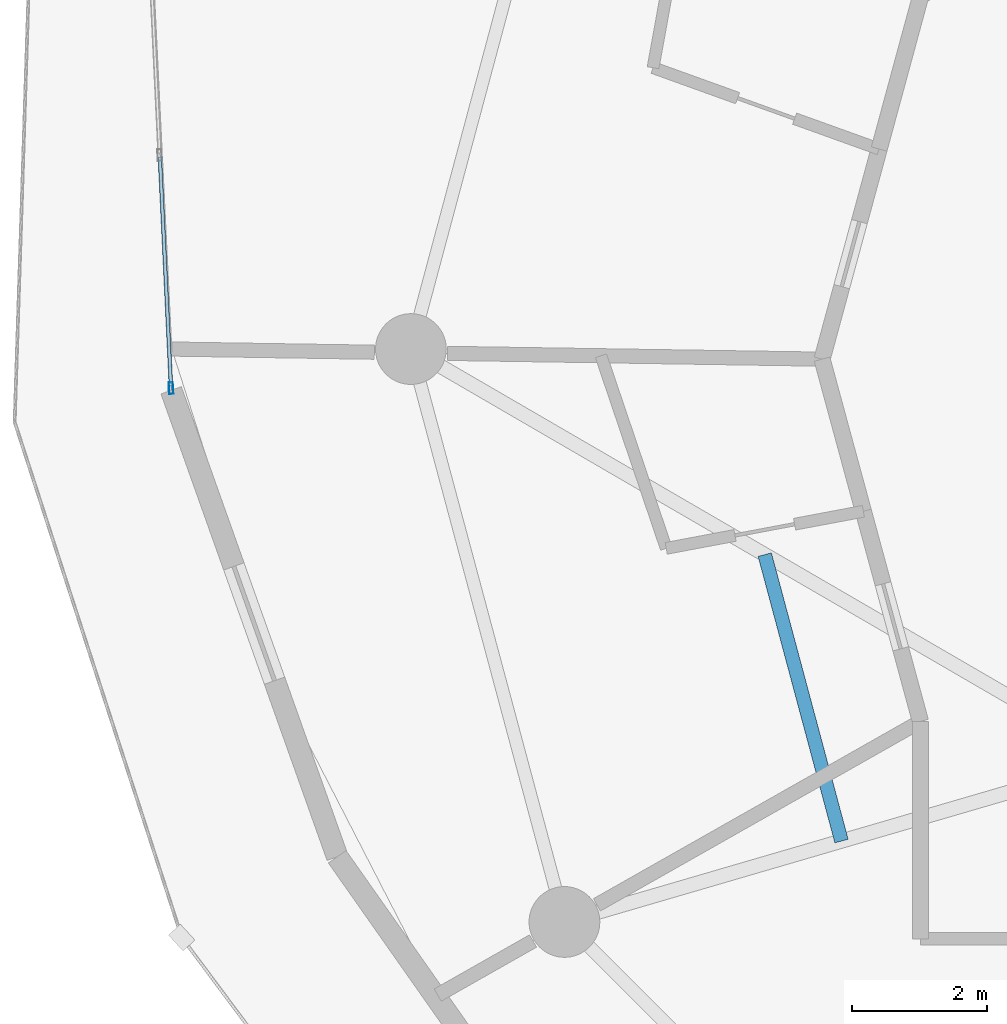
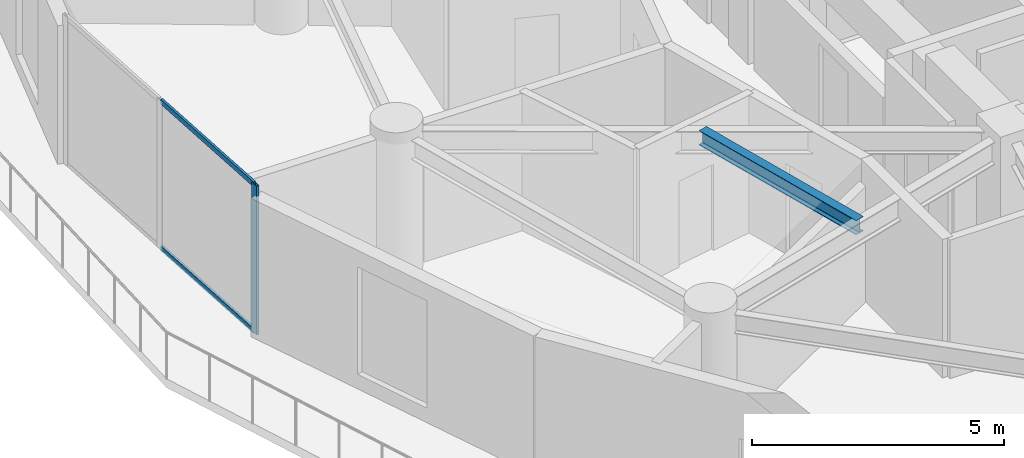
# One storey, part 4 of 22: 3 members, 1 beam, 1 element without a shape of its own.
"""IFC4 building model written with IfcOpenShell, lengths in metres."""

from ifc_helpers import new_model, si_unit, direction, frame, origin, origin_2d, place, context, subcontext, project, spatial, hollow_rectangle, i_section, extrude, source, transform, mapped, material, layer, layer_set, material_profile, profile_set, type_object, element, aggregate, save


model = new_model("IFC4")

# Units and contexts
model_context = context("Model", 3, precision=1e-05, world=origin(), true_north=direction((0.0, 1.0)))
body_context = subcontext(model_context, "Body", "Model", "MODEL_VIEW")
ifc_project = project(units=[si_unit("LENGTHUNIT", "METRE"), si_unit("AREAUNIT", "SQUARE_METRE"), si_unit("VOLUMEUNIT", "CUBIC_METRE"), si_unit("PLANEANGLEUNIT", "RADIAN"), si_unit("MASSUNIT", "GRAM", prefix="KILO")], contexts=[model_context])

# Site, building, storey
site_placement = place(None, origin())
site = spatial("IfcSite", under=ifc_project, at=site_placement, CompositionType="ELEMENT")
building_placement = place(site_placement, origin())
building = spatial("IfcBuilding", under=site, at=building_placement, Name="Solvirekh Grand Hotel", CompositionType="ELEMENT")
storey_placement = place(building_placement, frame((0.0, 0.0, 153.0)))
storey = spatial("IfcBuildingStorey", under=building, at=storey_placement, Name="L39", CompositionType="ELEMENT", Elevation=153.0)

# Beam
ifc_material_1 = material(Name="Steel S355", Category="steel")
ifc_material_profile_1 = material_profile(ifc_material_1, i_section(OverallWidth=0.2041015625, OverallDepth=0.35009765625, WebThickness=0.009033203125, FlangeThickness=0.014892578125, FilletRadius=0.010986328125, at=origin_2d()), Name="W360X72")
ifc_profile_set_1 = profile_set([ifc_material_profile_1], Name="Steel S355")
beam_type = type_object("IfcBeamType", Name="Joist_Floor_W360", PredefinedType="JOIST", material=ifc_profile_set_1)
beam_placement = place(storey_placement, frame((-11.75, -3.050048828125, 3.175048828125), z_axis=(0.258847024572, -0.965918328778, 0.0), x_axis=(0.965918328778, 0.258847024572, 0.0)))
element("IfcBeam", 1, at=beam_placement, inside=storey, type_object=beam_type, Name="L39 secondary composite floor joist 7", PredefinedType="JOIST", context=body_context, shape_type="SweptSolid", body=[
    extrude(i_section(OverallWidth=0.2041015625, OverallDepth=0.35009765625, WebThickness=0.009033203125, FlangeThickness=0.014892578125, FilletRadius=0.010986328125, at=origin_2d()), origin(), (0.0, 0.0, 1.0), 4.39990234375),
])

# Curtain wall, members
ifc_material_2 = material(Name="Anodized Bronze Aluminium 6063-T6", Category="aluminium")
ifc_layer = layer(ifc_material_2, 0.175048828125)
ifc_layer_set = layer_set([ifc_layer], Name="Anodized Bronze Aluminium 6063-T6")
curtain_wall_type = type_object("IfcCurtainWallType", Name="CW_Sys3_MidZoneFlushBronzeCW", PredefinedType="NOTDEFINED", material=ifc_layer_set)
curtain_wall_placement = place(storey_placement, origin())
curtain_wall = element("IfcCurtainWall", 2, at=curtain_wall_placement, inside=storey, type_object=curtain_wall_type, Name="L39 unitised bronze-glass curtain wall CW-L39-C13", PredefinedType="NOTDEFINED")
ifc_material_profile_2 = material_profile(ifc_material_2, hollow_rectangle(XDim=0.06494140625, YDim=0.175048828125, WallThickness=0.0048828125, at=origin_2d()), Name="ALU RHS 175X65X5")
ifc_profile_set_2 = profile_set([ifc_material_profile_2], Name="Anodized Bronze Aluminium 6063-T6")
member_type_1 = type_object("IfcMemberType", Name="CWMullion_Sys3", PredefinedType="MULLION", material=ifc_profile_set_2)
shared_shape_1 = source(origin(), body_context, "Body", "SweptSolid", [
    extrude(hollow_rectangle(XDim=0.06494140625, YDim=0.175048828125, WallThickness=0.0048828125, at=origin_2d()), origin(), (0.0, 0.0, 1.0), 3.60009765625),
])
member_1_placement = place(storey_placement, frame((-20.55859375, -0.57958984375, 0.0), z_axis=(0.0, 0.0, 1.0), x_axis=(0.998829947397, 0.048360481624, 0.0)))
member_1 = element("IfcMember", 3, at=member_1_placement, type_object=member_type_1, Name="U03 mullion 3", PredefinedType="MULLION", context=body_context, shape_type="MappedRepresentation", body=[
    mapped(shared_shape_1, transform((0.0, 0.0, 0.0), x_axis=(1.0, 0.0, 0.0), y_axis=(0.0, 1.0, 0.0), z_axis=(0.0, 0.0, 1.0), scale=1.0)),
])
ifc_material_profile_3 = material_profile(ifc_material_2, hollow_rectangle(XDim=0.054931640625, YDim=0.1201171875, WallThickness=0.00390625, at=origin_2d()), Name="ALU RHS 120X55X4")
ifc_profile_set_3 = profile_set([ifc_material_profile_3], Name="Anodized Bronze Aluminium 6063-T6")
member_type_2 = type_object("IfcMemberType", Name="CWTransom_Sys3", PredefinedType="USERDEFINED", material=ifc_profile_set_3)
shared_shape_2 = source(origin(), body_context, "Body", "SweptSolid", [
    extrude(hollow_rectangle(XDim=0.054931640625, YDim=0.1201171875, WallThickness=0.00390625, at=origin_2d()), origin(), (0.0, 0.0, 1.0), 3.39697265625),
])
member_2_placement = place(storey_placement, frame((-20.724365234375, 2.845947265625, 0.027587890625), z_axis=(0.048367558209, -0.998829604744, 0.0), x_axis=(0.998829604744, 0.048367558209, 0.0)))
member_2 = element("IfcMember", 4, at=member_2_placement, type_object=member_type_2, Name="U03 transom 2.1", ObjectType="TRANSOM", PredefinedType="USERDEFINED", context=body_context, shape_type="MappedRepresentation", body=[
    mapped(shared_shape_2, transform((0.0, 0.0, 0.0), x_axis=(1.0, 0.0, 0.0), y_axis=(0.0, 1.0, 0.0), z_axis=(0.0, 0.0, 1.0), scale=1.0)),
])
member_3_placement = place(storey_placement, frame((-20.724365234375, 2.845947265625, 3.572509765625), z_axis=(0.048367558209, -0.998829604744, 0.0), x_axis=(0.998829604744, 0.048367558209, 0.0)))
member_3 = element("IfcMember", 5, at=member_3_placement, type_object=member_type_2, Name="U03 transom 2.2", ObjectType="TRANSOM", PredefinedType="USERDEFINED", context=body_context, shape_type="MappedRepresentation", body=[
    mapped(shared_shape_2, transform((0.0, 0.0, 0.0), x_axis=(1.0, 0.0, 0.0), y_axis=(0.0, 1.0, 0.0), z_axis=(0.0, 0.0, 1.0), scale=1.0)),
])
aggregate(curtain_wall, [member_1, member_2, member_3])

save(model, "model.ifc")
